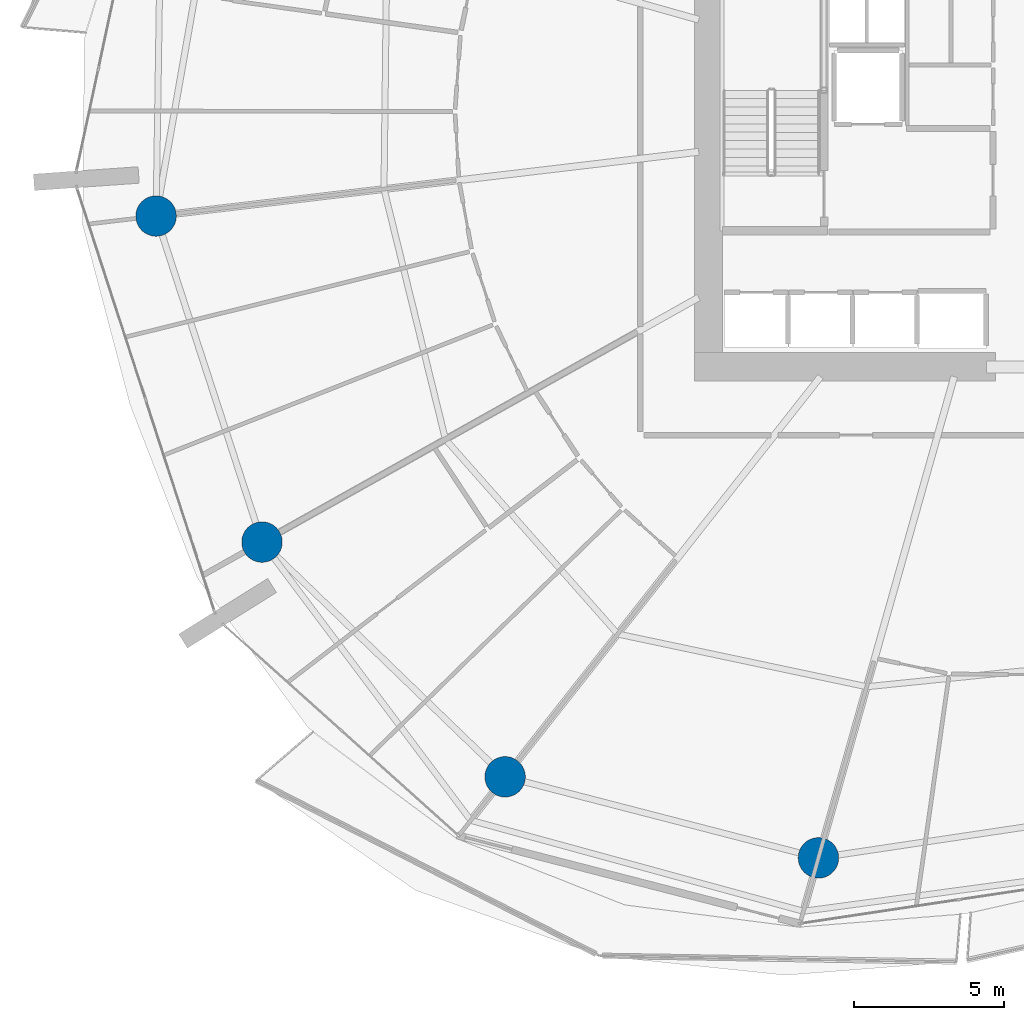
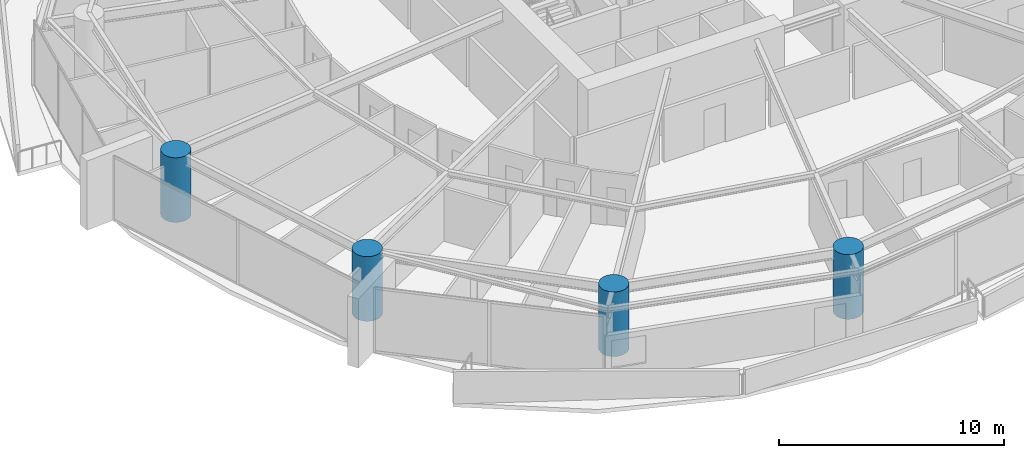
# One storey, part 1 of 32: 4 columns.
"""IFC4 building model written with IfcOpenShell, lengths in metres."""

from ifc_helpers import new_model, si_unit, direction, frame, origin, origin_2d, place, context, subcontext, project, spatial, circle, extrude, material, material_profile, profile_set, type_object, element, save


model = new_model("IFC4")

# Units and contexts
model_context = context("Model", 3, precision=1e-05, world=origin(), true_north=direction((0.0, 1.0)))
body_context = subcontext(model_context, "Body", "Model", "MODEL_VIEW")
ifc_project = project(units=[si_unit("LENGTHUNIT", "METRE"), si_unit("AREAUNIT", "SQUARE_METRE"), si_unit("VOLUMEUNIT", "CUBIC_METRE"), si_unit("PLANEANGLEUNIT", "RADIAN"), si_unit("MASSUNIT", "GRAM", prefix="KILO")], contexts=[model_context])

# Site, building, storey
site_placement = place(None, origin())
site = spatial("IfcSite", under=ifc_project, at=site_placement, CompositionType="ELEMENT")
building_placement = place(site_placement, origin())
building = spatial("IfcBuilding", under=site, at=building_placement, Name="Kazma Halo Residences", CompositionType="ELEMENT")
storey_placement = place(building_placement, frame((0.0, 0.0, 63.89990234375)))
storey = spatial("IfcBuildingStorey", under=building, at=storey_placement, Name="L15", CompositionType="ELEMENT", Elevation=63.89990234375)

# Columns
ifc_material = material(Name="Concrete C80/95", Category="concrete")
ifc_material_profile = material_profile(ifc_material, circle(Radius=0.675048828125, at=origin_2d()), Name="CIRC1350")
ifc_profile_set = profile_set([ifc_material_profile], Name="Concrete C80/95")
column_type = type_object("IfcColumnType", Name="COL-PERIM-1350", PredefinedType="COLUMN", material=ifc_profile_set)
for number, where, z_axis, x_axis, name in (
    (1, (18.902099609375, 38.555908203125, 0.0), (0.0, 0.0, 1.0), (1.0, 0.0, 0.0), "L15 perimeter ring column P08"),
    (2, (22.43505859375, 27.682861328125, 0.0), (0.0, 0.0, 1.0), (1.0, 0.0, 0.0), "L15 perimeter ring column P09"),
    (3, (30.541748046875, 19.854248046875, 0.0), (0.0, 0.0, 1.0), (1.0, 0.0, 0.0), "L15 perimeter ring column P10"),
    (4, (40.99169921875, 17.150634765625, 0.0), (0.0, 0.0, 1.0), (1.0, 0.0, 0.0), "L15 perimeter ring column P11"),
):
    element("IfcColumn", number, at=place(storey_placement, frame(where, z_axis=z_axis, x_axis=x_axis)), inside=storey, type_object=column_type, Name=name, PredefinedType="COLUMN", context=body_context, shape_type="SweptSolid", body=[
        extrude(circle(Radius=0.675048828125, at=origin_2d()), origin(), (0.0, 0.0, 1.0), 3.5),
    ])

save(model, "model.ifc")
